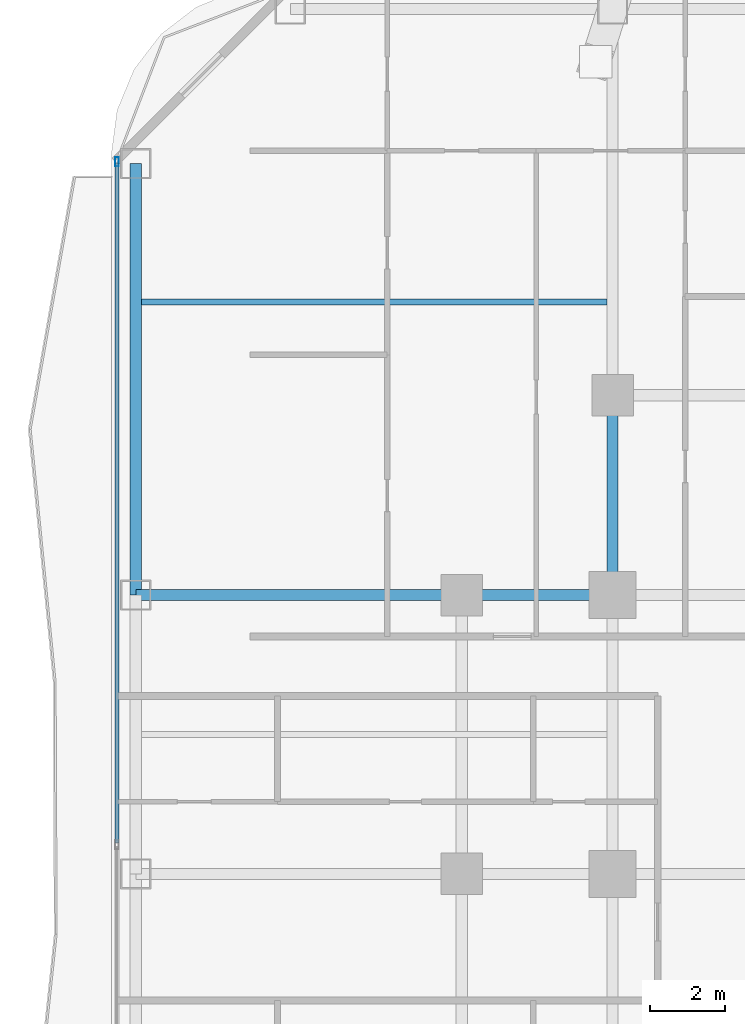
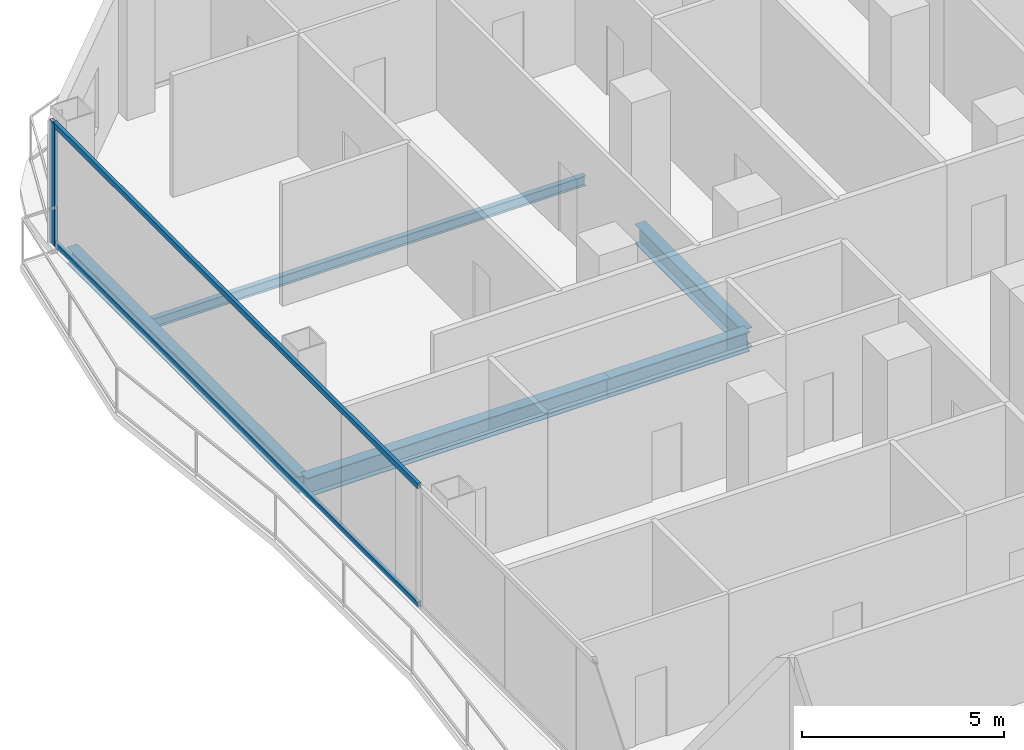
# One storey, part 16 of 32: 5 beams, 3 members, 1 element without a shape of its own.
"""IFC4 building model written with IfcOpenShell, lengths in metres."""

from ifc_helpers import new_model, si_unit, direction, frame, origin, origin_2d, place, context, subcontext, project, spatial, hollow_rectangle, i_section, extrude, material, layer, layer_set, material_profile, profile_set, type_object, element, aggregate, save


model = new_model("IFC4")

# Units and contexts
model_context = context("Model", 3, precision=1e-05, world=origin(), true_north=direction((0.0, 1.0)))
body_context = subcontext(model_context, "Body", "Model", "MODEL_VIEW")
ifc_project = project(units=[si_unit("LENGTHUNIT", "METRE"), si_unit("AREAUNIT", "SQUARE_METRE"), si_unit("VOLUMEUNIT", "CUBIC_METRE"), si_unit("PLANEANGLEUNIT", "RADIAN"), si_unit("MASSUNIT", "GRAM", prefix="KILO")], contexts=[model_context])

# Site, building, storey
site_placement = place(None, origin())
site = spatial("IfcSite", under=ifc_project, at=site_placement, CompositionType="ELEMENT")
building_placement = place(site_placement, origin())
building = spatial("IfcBuilding", under=site, at=building_placement, Name="Khorvyn Point Tower", CompositionType="ELEMENT")
storey_placement = place(building_placement, frame((0.0, 0.0, 93.0)))
storey = spatial("IfcBuildingStorey", under=building, at=storey_placement, Name="L23", CompositionType="ELEMENT", Elevation=93.0)

# Curtain wall, members
ifc_material_1 = material(Name="Anodised aluminium 6063-T6 and laminated Low-E glass", Category="aluminium")
ifc_layer = layer(ifc_material_1, 0.18994140625)
ifc_layer_set = layer_set([ifc_layer], Name="Stick-Built Finned Residential Curtain Wall CW-SYS-02")
curtain_wall_type = type_object("IfcCurtainWallType", Name="Stick-Built Finned Residential Curtain Wall CW-SYS-02", PredefinedType="NOTDEFINED", material=ifc_layer_set)
curtain_wall_placement = place(storey_placement, origin())
curtain_wall = element("IfcCurtainWall", 1, at=curtain_wall_placement, inside=storey, type_object=curtain_wall_type, Name="Curtain Wall", PredefinedType="NOTDEFINED")
ifc_material_2 = material(Name="Anodised aluminium 6063-T6", Category="aluminium")
ifc_material_profile_1 = material_profile(ifc_material_2, hollow_rectangle(XDim=0.10009765625, YDim=0.239990234375, WallThickness=0.0048828125, at=origin_2d()))
ifc_profile_set_1 = profile_set([ifc_material_profile_1], Name="Anodised aluminium 6063-T6 ALU-MUL-100x240")
member_type_1 = type_object("IfcMemberType", Name="Anodised Aluminium 6063-T6 Mullion ALU-MUL-100x240", PredefinedType="MULLION", material=ifc_profile_set_1)
member_1_placement = place(storey_placement, frame((-27.949951171875, 26.300048828125, 0.0), z_axis=(0.0, 0.0, 1.0), x_axis=(-1.0, 0.0, 0.0)))
member_1 = element("IfcMember", 2, at=member_1_placement, type_object=member_type_1, Name="Transom", PredefinedType="MULLION", context=body_context, shape_type="SweptSolid", body=[
    extrude(hollow_rectangle(XDim=0.10009765625, YDim=0.239990234375, WallThickness=0.0048828125, at=origin_2d()), origin(), (0.0, 0.0, 1.0), 3.679931640625),
])
ifc_material_profile_2 = material_profile(ifc_material_2, hollow_rectangle(XDim=0.10009765625, YDim=0.159912109375, WallThickness=0.00439453125, at=origin_2d()))
ifc_profile_set_2 = profile_set([ifc_material_profile_2], Name="Anodised aluminium 6063-T6 ALU-TRN-100x160")
member_type_2 = type_object("IfcMemberType", Name="Anodised Aluminium 6063-T6 Transom ALU-TRN-100x160", PredefinedType="USERDEFINED", material=ifc_profile_set_2)
member_2_placement = place(storey_placement, frame((-27.949951171875, 8.22509765625, 0.050048828125), z_axis=(0.0, 1.0, 0.0), x_axis=(-1.0, 0.0, 0.0)))
member_2 = element("IfcMember", 3, at=member_2_placement, type_object=member_type_2, Name="Transom", ObjectType="TRANSOM", PredefinedType="USERDEFINED", context=body_context, shape_type="SweptSolid", body=[
    extrude(hollow_rectangle(XDim=0.10009765625, YDim=0.159912109375, WallThickness=0.00439453125, at=origin_2d()), origin(), (0.0, 0.0, 1.0), 18.02490234375),
])
member_3_placement = place(storey_placement, frame((-27.949951171875, 8.22509765625, 3.6298828125), z_axis=(0.0, 1.0, 0.0), x_axis=(-1.0, 0.0, 0.0)))
member_3 = element("IfcMember", 4, at=member_3_placement, type_object=member_type_2, Name="Transom", ObjectType="TRANSOM", PredefinedType="USERDEFINED", context=body_context, shape_type="SweptSolid", body=[
    extrude(hollow_rectangle(XDim=0.10009765625, YDim=0.159912109375, WallThickness=0.00439453125, at=origin_2d()), origin(), (0.0, 0.0, 1.0), 18.02490234375),
])
aggregate(curtain_wall, [member_1, member_2, member_3])

# Beams
ifc_material_3 = material(Name="Steel S355", Category="steel")
ifc_material_profile_3 = material_profile(ifc_material_3, i_section(OverallWidth=0.300048828125, OverallDepth=0.587890625, WebThickness=0.011962890625, FlangeThickness=0.02001953125, at=origin_2d()))
ifc_profile_set_3 = profile_set([ifc_material_profile_3], Name="Steel S355 H588x300x12x20")
beam_type_1 = type_object("IfcBeamType", Name="Steel S355 Beam H588x300x12x20", PredefinedType="BEAM", material=ifc_profile_set_3)
beam_1_placement = place(storey_placement, frame((-27.449951171875, 14.800048828125, -0.513916015625), z_axis=(1.0, 0.0, 0.0), x_axis=(0.0, 1.0, 0.0)))
element("IfcBeam", 5, at=beam_1_placement, inside=storey, type_object=beam_type_1, Name="Beam", PredefinedType="BEAM", context=body_context, shape_type="SweptSolid", body=[
    extrude(i_section(OverallWidth=0.300048828125, OverallDepth=0.587890625, WebThickness=0.011962890625, FlangeThickness=0.02001953125, at=origin_2d()), origin(), (0.0, 0.0, 1.0), 8.64990234375),
])
beam_2_placement = place(storey_placement, frame((-18.800048828125, 14.800048828125, -0.513916015625), z_axis=(1.0, 0.0, 0.0), x_axis=(0.0, 1.0, 0.0)))
element("IfcBeam", 6, at=beam_2_placement, inside=storey, type_object=beam_type_1, Name="Beam", PredefinedType="BEAM", context=body_context, shape_type="SweptSolid", body=[
    extrude(i_section(OverallWidth=0.300048828125, OverallDepth=0.587890625, WebThickness=0.011962890625, FlangeThickness=0.02001953125, at=origin_2d()), origin(), (0.0, 0.0, 1.0), 4.0),
])
beam_3_placement = place(storey_placement, frame((-14.800048828125, 14.800048828125, -0.513916015625), z_axis=(0.0, 1.0, 0.0), x_axis=(-1.0, 0.0, 0.0)))
element("IfcBeam", 7, at=beam_3_placement, inside=storey, type_object=beam_type_1, Name="Beam", PredefinedType="BEAM", context=body_context, shape_type="SweptSolid", body=[
    extrude(i_section(OverallWidth=0.300048828125, OverallDepth=0.587890625, WebThickness=0.011962890625, FlangeThickness=0.02001953125, at=origin_2d()), origin(), (0.0, 0.0, 1.0), 5.300048828125),
])
ifc_material_profile_4 = material_profile(ifc_material_3, i_section(OverallWidth=0.14990234375, OverallDepth=0.300048828125, WebThickness=0.006591796875, FlangeThickness=0.009033203125, at=origin_2d()))
ifc_profile_set_4 = profile_set([ifc_material_profile_4], Name="Steel S355 H300x150x6.5x9")
beam_type_2 = type_object("IfcBeamType", Name="Steel S355 Joist H300x150x6.5x9", PredefinedType="JOIST", material=ifc_profile_set_4)
beam_4_placement = place(storey_placement, frame((-27.300048828125, 22.574951171875, -0.3701171875), z_axis=(1.0, 0.0, 0.0), x_axis=(0.0, 1.0, 0.0)))
element("IfcBeam", 8, at=beam_4_placement, inside=storey, type_object=beam_type_2, Name="Beam", PredefinedType="JOIST", context=body_context, shape_type="SweptSolid", body=[
    extrude(i_section(OverallWidth=0.14990234375, OverallDepth=0.300048828125, WebThickness=0.006591796875, FlangeThickness=0.009033203125, at=origin_2d()), origin(), (0.0, 0.0, 1.0), 12.35009765625),
])
ifc_material_profile_5 = material_profile(ifc_material_3, i_section(OverallWidth=0.300048828125, OverallDepth=0.488037109375, WebThickness=0.010986328125, FlangeThickness=0.01806640625, at=origin_2d()))
ifc_profile_set_5 = profile_set([ifc_material_profile_5], Name="Steel S355 H488x300x11x18")
beam_type_3 = type_object("IfcBeamType", Name="Steel S355 Spandrel H488x300x11x18", PredefinedType="SPANDREL", material=ifc_profile_set_5)
beam_5_placement = place(storey_placement, frame((-27.449951171875, 14.800048828125, -0.464111328125), z_axis=(0.0, 1.0, 0.0), x_axis=(-1.0, 0.0, 0.0)))
element("IfcBeam", 9, at=beam_5_placement, inside=storey, type_object=beam_type_3, Name="Beam", PredefinedType="SPANDREL", context=body_context, shape_type="SweptSolid", body=[
    extrude(i_section(OverallWidth=0.300048828125, OverallDepth=0.488037109375, WebThickness=0.010986328125, FlangeThickness=0.01806640625, at=origin_2d()), origin(), (0.0, 0.0, 1.0), 11.449951171875),
])

save(model, "model.ifc")
